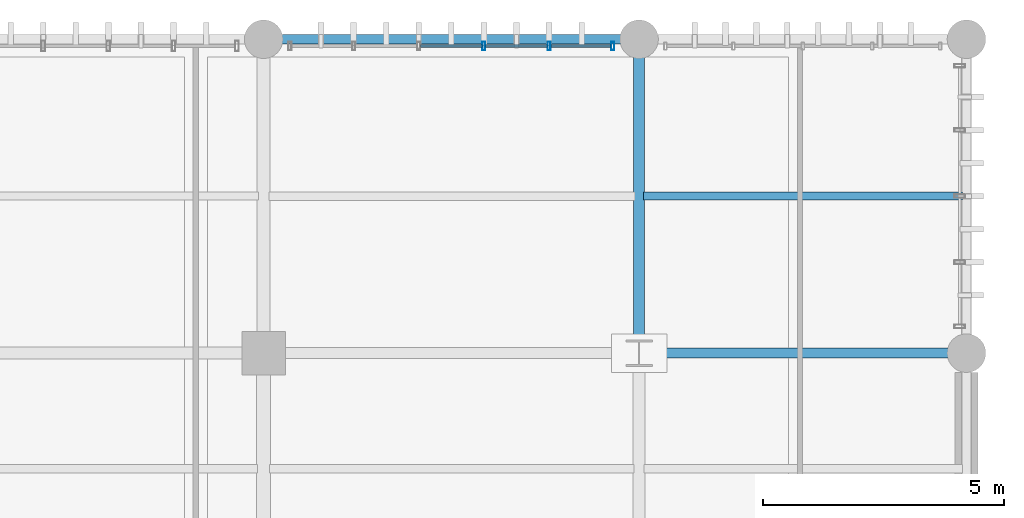
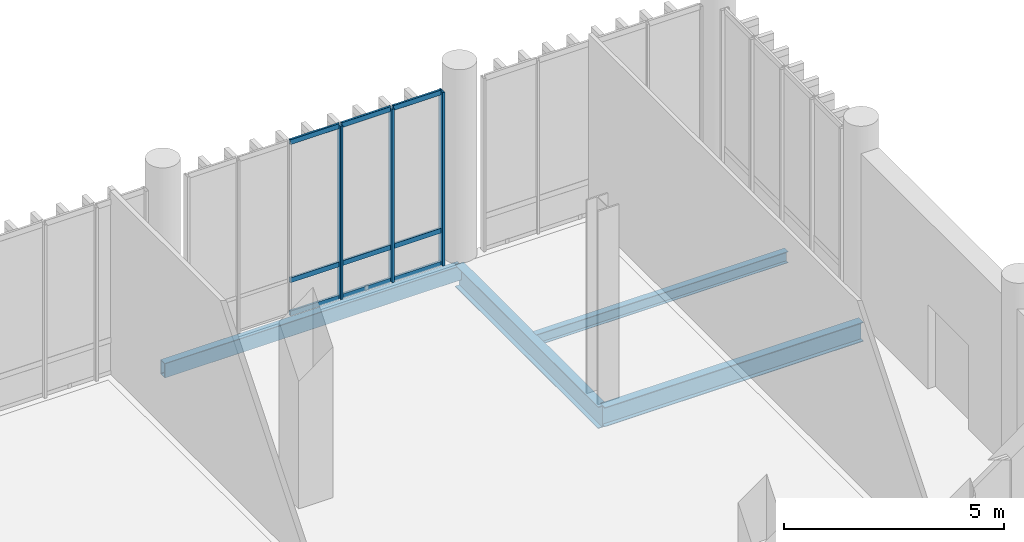
# One storey, part 73 of 112: 12 members, 4 beams, 1 element without a shape of its own.
"""IFC4 building model written with IfcOpenShell, lengths in metres."""

from ifc_helpers import new_model, si_unit, direction, frame, origin_with_axes, origin_2d_with_axis, place, context, subcontext, project, spatial, hollow_rectangle, i_section, extrude, material, material_profile, profile_set, type_object, element, aggregate, save


model = new_model("IFC4")

# Units and contexts
model_context = context("Model", 3, precision=1e-05, world=origin_with_axes(), true_north=direction((0.0, 1.0)))
body_context = subcontext(model_context, "Body", "Model", "MODEL_VIEW")
ifc_project = project(units=[si_unit("LENGTHUNIT", "METRE"), si_unit("AREAUNIT", "SQUARE_METRE"), si_unit("VOLUMEUNIT", "CUBIC_METRE"), si_unit("PLANEANGLEUNIT", "RADIAN"), si_unit("MASSUNIT", "GRAM", prefix="KILO"), si_unit("THERMODYNAMICTEMPERATUREUNIT", "KELVIN")], contexts=[model_context])

# Site, building, storey
site_placement = place(None, origin_with_axes())
site = spatial("IfcSite", under=ifc_project, at=site_placement, CompositionType="ELEMENT")
building_placement = place(site_placement, origin_with_axes())
building = spatial("IfcBuilding", under=site, at=building_placement, Name="Montbau Bow Law Courts", CompositionType="ELEMENT")
storey_placement = place(building_placement, origin_with_axes())
storey = spatial("IfcBuildingStorey", under=building, at=storey_placement, Name="L00", CompositionType="ELEMENT", Elevation=0.0)

# Beams
ifc_material_1 = material(Name="Steel CSA G40.21 Grade 350W (350 MPa)", Category="steel")
ifc_material_profile_1 = material_profile(ifc_material_1, i_section(OverallWidth=0.229, OverallDepth=0.612, WebThickness=0.0119, FlangeThickness=0.0196, at=origin_2d_with_axis()), Name="W610X125", Category="Main", Priority=0)
ifc_profile_set_1 = profile_set([ifc_material_profile_1], Name="Steel CSA G40.21 Grade 350W (350 MPa)")
beam_type_1 = type_object("IfcBeamType", Name="B-FLR-05", PredefinedType="BEAM", material=ifc_profile_set_1)
beam_1_placement = place(None, frame((162.6, 110.4, -0.566), z_axis=(0.0, 1.0, 0.0), x_axis=(-1.0, 0.0, 0.0)))
element("IfcBeam", 1, at=beam_1_placement, inside=storey, type_object=beam_type_1, Name="BM-L00-S0458:bm2_0461", PredefinedType="BEAM", context=body_context, shape_type="SweptSolid", body=[
    extrude(i_section(OverallWidth=0.229, OverallDepth=0.612, WebThickness=0.0119, FlangeThickness=0.0196, at=origin_2d_with_axis()), origin_with_axes(), (0.0, 0.0, 1.0), 6.52),
])
ifc_material_profile_2 = material_profile(ifc_material_1, i_section(OverallWidth=0.21, OverallDepth=0.537, WebThickness=0.0109, FlangeThickness=0.0174, at=origin_2d_with_axis()), Name="W530X101", Category="Main", Priority=0)
ifc_profile_set_2 = profile_set([ifc_material_profile_2], Name="Steel CSA G40.21 Grade 350W (350 MPa)")
beam_type_2 = type_object("IfcBeamType", Name="B-FLR-06", PredefinedType="BEAM", material=ifc_profile_set_2)
beam_2_placement = place(None, frame((162.6, 110.4, -0.528), z_axis=(1.0, 0.0, 0.0), x_axis=(0.0, 1.0, 0.0)))
element("IfcBeam", 2, at=beam_2_placement, inside=storey, type_object=beam_type_2, Name="BM-L00-S0426:bm2_0429", PredefinedType="BEAM", context=body_context, shape_type="SweptSolid", body=[
    extrude(i_section(OverallWidth=0.21, OverallDepth=0.537, WebThickness=0.0109, FlangeThickness=0.0174, at=origin_2d_with_axis()), origin_with_axes(), (0.0, 0.0, 1.0), 6.8),
])
ifc_material_profile_3 = material_profile(ifc_material_1, i_section(OverallWidth=0.166, OverallDepth=0.313, WebThickness=0.0066, FlangeThickness=0.0112, at=origin_2d_with_axis()), Name="W310X45", Category="Main", Priority=0)
ifc_profile_set_3 = profile_set([ifc_material_profile_3], Name="Steel CSA G40.21 Grade 350W (350 MPa)")
beam_type_3 = type_object("IfcBeamType", Name="B-JST-04", PredefinedType="JOIST", material=ifc_profile_set_3)
beam_3_placement = place(None, frame((162.69, 113.66, -0.416), z_axis=(1.0, 0.0, 0.0), x_axis=(0.0, 1.0, 0.0)))
element("IfcBeam", 3, at=beam_3_placement, inside=storey, type_object=beam_type_3, Name="JST-L00-S0227:jst2_0227", PredefinedType="JOIST", context=body_context, shape_type="SweptSolid", body=[
    extrude(i_section(OverallWidth=0.166, OverallDepth=0.313, WebThickness=0.0066, FlangeThickness=0.0112, at=origin_2d_with_axis()), origin_with_axes(), (0.0, 0.0, 1.0), 6.63),
])
ifc_material_2 = material(Name="Steel CSA G40.21 Grade 350WT (350 MPa)", Category="steel")
ifc_material_profile_4 = material_profile(ifc_material_2, hollow_rectangle(XDim=0.203, YDim=0.406, WallThickness=0.0127, InnerFilletRadius=0.0254, OuterFilletRadius=0.0127, at=origin_2d_with_axis()), Name="HSS406X203X13", Category="Main", Priority=0)
ifc_profile_set_4 = profile_set([ifc_material_profile_4], Name="Steel CSA G40.21 Grade 350WT (350 MPa)")
beam_type_4 = type_object("IfcBeamType", Name="B-SPN-01", PredefinedType="SPANDREL", material=ifc_profile_set_4)
beam_4_placement = place(None, frame((154.8, 116.92, -0.463), z_axis=(1.0, 0.0, 0.0), x_axis=(0.0, 1.0, 0.0)))
element("IfcBeam", 4, at=beam_4_placement, inside=storey, type_object=beam_type_4, Name="SPN-L00-S0429:bm2_0432", PredefinedType="SPANDREL", context=body_context, shape_type="SweptSolid", body=[
    extrude(hollow_rectangle(XDim=0.203, YDim=0.406, WallThickness=0.0127, InnerFilletRadius=0.0254, OuterFilletRadius=0.0127, at=origin_2d_with_axis()), origin_with_axes(), (0.0, 0.0, 1.0), 7.8),
])

# Curtain wall, members
ifc_material_3 = material(Name="Thermally Broken Extruded Aluminium AA 6063-T6", Category="aluminium")
curtain_wall_type = type_object("IfcCurtainWallType", Name="CW-SLT-01", PredefinedType="NOTDEFINED", material=ifc_material_3)
curtain_wall_placement = place(None, frame((155.315, 116.78, 0.0), z_axis=(0.0, 0.0, 1.0), x_axis=(1.0, 0.0, 0.0)))
curtain_wall = element("IfcCurtainWall", 5, at=curtain_wall_placement, inside=storey, type_object=curtain_wall_type, Name="CW-L00-265:cw_0265", PredefinedType="NOTDEFINED")
ifc_material_profile_5 = material_profile(ifc_material_3, hollow_rectangle(XDim=0.065, YDim=0.18, WallThickness=0.005, InnerFilletRadius=0.01, OuterFilletRadius=0.005, at=origin_2d_with_axis()), Name="CWM-180X65", Category="Main", Priority=0)
ifc_profile_set_5 = profile_set([ifc_material_profile_5], Name="Thermally Broken Extruded Aluminium AA 6063-T6")
member_type_1 = type_object("IfcMemberType", Name="M-MUL-02", PredefinedType="MULLION", material=ifc_profile_set_5)
member_1_placement = place(None, frame((159.377, 116.78, 0.0), z_axis=(0.0, 0.0, 1.0), x_axis=(1.0, 0.0, 0.0)))
member_1 = element("IfcMember", 6, at=member_1_placement, type_object=member_type_1, Name="CW-L00-265-M04:cw_0265_M04", PredefinedType="MULLION", context=body_context, shape_type="SweptSolid", body=[
    extrude(hollow_rectangle(XDim=0.065, YDim=0.18, WallThickness=0.005, InnerFilletRadius=0.01, OuterFilletRadius=0.005, at=origin_2d_with_axis()), origin_with_axes(), (0.0, 0.0, 1.0), 4.82),
])
member_2_placement = place(None, frame((160.731, 116.78, 0.0), z_axis=(0.0, 0.0, 1.0), x_axis=(1.0, 0.0, 0.0)))
member_2 = element("IfcMember", 7, at=member_2_placement, type_object=member_type_1, Name="CW-L00-265-M05:cw_0265_M05", PredefinedType="MULLION", context=body_context, shape_type="SweptSolid", body=[
    extrude(hollow_rectangle(XDim=0.065, YDim=0.18, WallThickness=0.005, InnerFilletRadius=0.01, OuterFilletRadius=0.005, at=origin_2d_with_axis()), origin_with_axes(), (0.0, 0.0, 1.0), 4.82),
])
member_3_placement = place(None, frame((162.053, 116.78, 0.0), z_axis=(0.0, 0.0, 1.0), x_axis=(1.0, 0.0, 0.0)))
member_3 = element("IfcMember", 8, at=member_3_placement, type_object=member_type_1, Name="CW-L00-265-M06:cw_0265_M06", PredefinedType="MULLION", context=body_context, shape_type="SweptSolid", body=[
    extrude(hollow_rectangle(XDim=0.065, YDim=0.18, WallThickness=0.005, InnerFilletRadius=0.01, OuterFilletRadius=0.005, at=origin_2d_with_axis()), origin_with_axes(), (0.0, 0.0, 1.0), 4.82),
])
ifc_material_profile_6 = material_profile(ifc_material_3, hollow_rectangle(XDim=0.055, YDim=0.14, WallThickness=0.004, InnerFilletRadius=0.008, OuterFilletRadius=0.004, at=origin_2d_with_axis()), Name="CWT-140X55", Category="Main", Priority=0)
ifc_profile_set_6 = profile_set([ifc_material_profile_6], Name="Thermally Broken Extruded Aluminium AA 6063-T6")
member_type_2 = type_object("IfcMemberType", Name="M-TRN-02", PredefinedType="USERDEFINED", material=ifc_profile_set_6)
member_4_placement = place(None, frame((158.058, 116.78, 0.028), z_axis=(1.0, 0.0, 0.0), x_axis=(0.0, 1.0, 0.0)))
member_4 = element("IfcMember", 9, at=member_4_placement, type_object=member_type_2, Name="CW-L00-265-T03-1:cw_0265_T03_1", ObjectType="TRANSOM", PredefinedType="USERDEFINED", context=body_context, shape_type="SweptSolid", body=[
    extrude(hollow_rectangle(XDim=0.055, YDim=0.14, WallThickness=0.004, InnerFilletRadius=0.008, OuterFilletRadius=0.004, at=origin_2d_with_axis()), origin_with_axes(), (0.0, 0.0, 1.0), 1.285),
])
member_5_placement = place(None, frame((158.058, 116.78, 0.95), z_axis=(1.0, 0.0, 0.0), x_axis=(0.0, 1.0, 0.0)))
member_5 = element("IfcMember", 10, at=member_5_placement, type_object=member_type_2, Name="CW-L00-265-T03-2:cw_0265_T03_2", ObjectType="TRANSOM", PredefinedType="USERDEFINED", context=body_context, shape_type="SweptSolid", body=[
    extrude(hollow_rectangle(XDim=0.055, YDim=0.14, WallThickness=0.004, InnerFilletRadius=0.008, OuterFilletRadius=0.004, at=origin_2d_with_axis()), origin_with_axes(), (0.0, 0.0, 1.0), 1.285),
])
member_6_placement = place(None, frame((158.058, 116.78, 4.793), z_axis=(1.0, 0.0, 0.0), x_axis=(0.0, 1.0, 0.0)))
member_6 = element("IfcMember", 11, at=member_6_placement, type_object=member_type_2, Name="CW-L00-265-T03-3:cw_0265_T03_3", ObjectType="TRANSOM", PredefinedType="USERDEFINED", context=body_context, shape_type="SweptSolid", body=[
    extrude(hollow_rectangle(XDim=0.055, YDim=0.14, WallThickness=0.004, InnerFilletRadius=0.008, OuterFilletRadius=0.004, at=origin_2d_with_axis()), origin_with_axes(), (0.0, 0.0, 1.0), 1.285),
])
member_7_placement = place(None, frame((159.411, 116.78, 0.028), z_axis=(1.0, 0.0, 0.0), x_axis=(0.0, 1.0, 0.0)))
member_7 = element("IfcMember", 12, at=member_7_placement, type_object=member_type_2, Name="CW-L00-265-T04-1:cw_0265_T04_1", ObjectType="TRANSOM", PredefinedType="USERDEFINED", context=body_context, shape_type="SweptSolid", body=[
    extrude(hollow_rectangle(XDim=0.055, YDim=0.14, WallThickness=0.004, InnerFilletRadius=0.008, OuterFilletRadius=0.004, at=origin_2d_with_axis()), origin_with_axes(), (0.0, 0.0, 1.0), 1.286),
])
member_8_placement = place(None, frame((159.411, 116.78, 0.95), z_axis=(1.0, 0.0, 0.0), x_axis=(0.0, 1.0, 0.0)))
member_8 = element("IfcMember", 13, at=member_8_placement, type_object=member_type_2, Name="CW-L00-265-T04-2:cw_0265_T04_2", ObjectType="TRANSOM", PredefinedType="USERDEFINED", context=body_context, shape_type="SweptSolid", body=[
    extrude(hollow_rectangle(XDim=0.055, YDim=0.14, WallThickness=0.004, InnerFilletRadius=0.008, OuterFilletRadius=0.004, at=origin_2d_with_axis()), origin_with_axes(), (0.0, 0.0, 1.0), 1.286),
])
member_9_placement = place(None, frame((159.411, 116.78, 4.793), z_axis=(1.0, 0.0, 0.0), x_axis=(0.0, 1.0, 0.0)))
member_9 = element("IfcMember", 14, at=member_9_placement, type_object=member_type_2, Name="CW-L00-265-T04-3:cw_0265_T04_3", ObjectType="TRANSOM", PredefinedType="USERDEFINED", context=body_context, shape_type="SweptSolid", body=[
    extrude(hollow_rectangle(XDim=0.055, YDim=0.14, WallThickness=0.004, InnerFilletRadius=0.008, OuterFilletRadius=0.004, at=origin_2d_with_axis()), origin_with_axes(), (0.0, 0.0, 1.0), 1.286),
])
member_10_placement = place(None, frame((160.765, 116.78, 0.028), z_axis=(1.0, 0.0, 0.0), x_axis=(0.0, 1.0, 0.0)))
member_10 = element("IfcMember", 15, at=member_10_placement, type_object=member_type_2, Name="CW-L00-265-T05-1:cw_0265_T05_1", ObjectType="TRANSOM", PredefinedType="USERDEFINED", context=body_context, shape_type="SweptSolid", body=[
    extrude(hollow_rectangle(XDim=0.055, YDim=0.14, WallThickness=0.004, InnerFilletRadius=0.008, OuterFilletRadius=0.004, at=origin_2d_with_axis()), origin_with_axes(), (0.0, 0.0, 1.0), 1.254),
])
member_11_placement = place(None, frame((160.765, 116.78, 0.95), z_axis=(1.0, 0.0, 0.0), x_axis=(0.0, 1.0, 0.0)))
member_11 = element("IfcMember", 16, at=member_11_placement, type_object=member_type_2, Name="CW-L00-265-T05-2:cw_0265_T05_2", ObjectType="TRANSOM", PredefinedType="USERDEFINED", context=body_context, shape_type="SweptSolid", body=[
    extrude(hollow_rectangle(XDim=0.055, YDim=0.14, WallThickness=0.004, InnerFilletRadius=0.008, OuterFilletRadius=0.004, at=origin_2d_with_axis()), origin_with_axes(), (0.0, 0.0, 1.0), 1.254),
])
member_12_placement = place(None, frame((160.765, 116.78, 4.793), z_axis=(1.0, 0.0, 0.0), x_axis=(0.0, 1.0, 0.0)))
member_12 = element("IfcMember", 17, at=member_12_placement, type_object=member_type_2, Name="CW-L00-265-T05-3:cw_0265_T05_3", ObjectType="TRANSOM", PredefinedType="USERDEFINED", context=body_context, shape_type="SweptSolid", body=[
    extrude(hollow_rectangle(XDim=0.055, YDim=0.14, WallThickness=0.004, InnerFilletRadius=0.008, OuterFilletRadius=0.004, at=origin_2d_with_axis()), origin_with_axes(), (0.0, 0.0, 1.0), 1.254),
])
aggregate(curtain_wall, [member_1, member_2, member_3, member_4, member_5, member_6, member_7, member_8, member_9, member_10, member_11, member_12])

save(model, "model.ifc")
